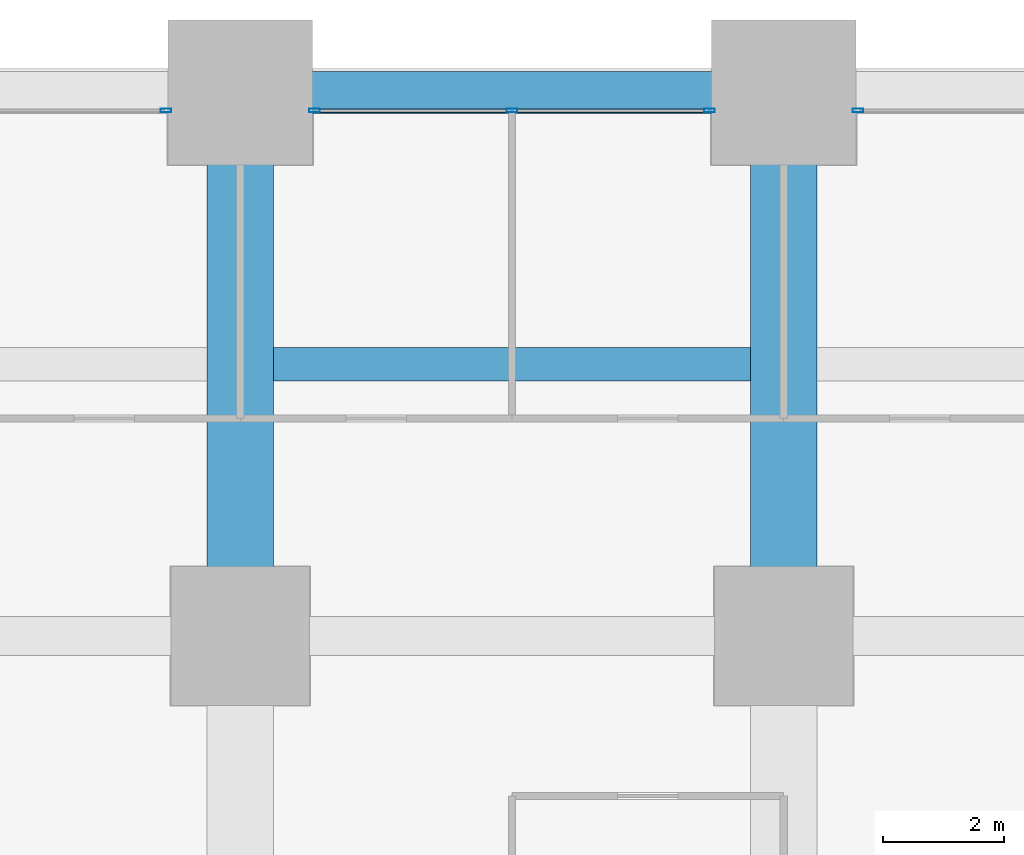
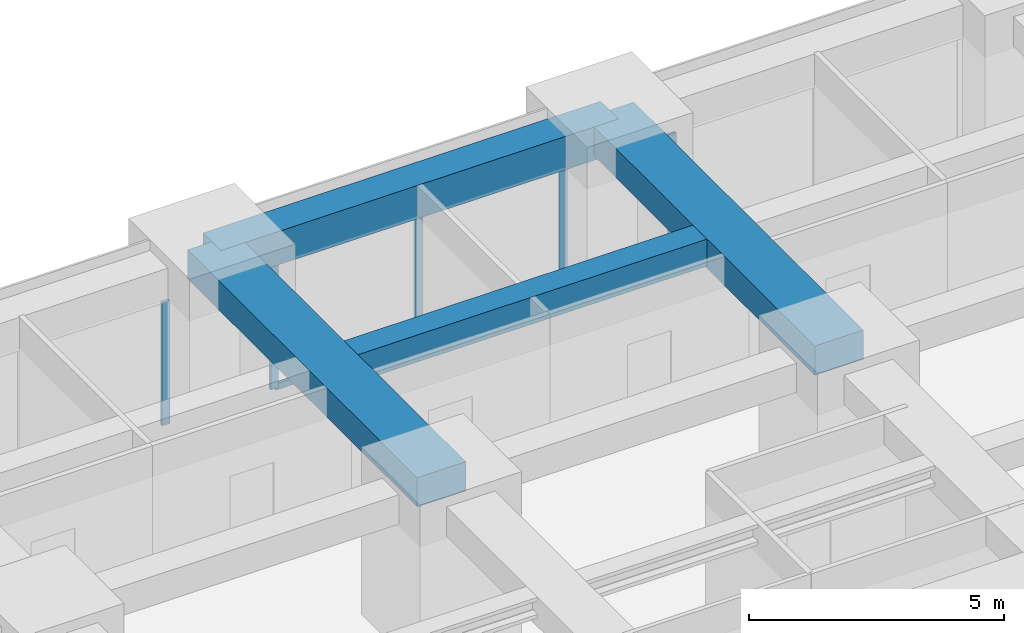
# One storey, part 35 of 44: 6 members, 4 beams, 3 elements without a shape of their own.
"""IFC4 building model written with IfcOpenShell, lengths in metres."""

from ifc_helpers import new_model, si_unit, direction, frame, origin, origin_2d, place, context, subcontext, project, spatial, rectangle, hollow_rectangle, extrude, material, material_profile, profile_set, type_object, element, aggregate, save


model = new_model("IFC4")

# Units and contexts
model_context = context("Model", 3, precision=1e-05, world=origin(), true_north=direction((0.0, 1.0)))
body_context = subcontext(model_context, "Body", "Model", "MODEL_VIEW")
ifc_project = project(units=[si_unit("LENGTHUNIT", "METRE"), si_unit("AREAUNIT", "SQUARE_METRE"), si_unit("VOLUMEUNIT", "CUBIC_METRE"), si_unit("PLANEANGLEUNIT", "RADIAN"), si_unit("MASSUNIT", "GRAM", prefix="KILO")], contexts=[model_context])

# Site, building, storey
site_placement = place(None, origin())
site = spatial("IfcSite", under=ifc_project, at=site_placement, CompositionType="ELEMENT")
building_placement = place(site_placement, origin())
building = spatial("IfcBuilding", under=site, at=building_placement, Name="Zorevar Civic Tower", CompositionType="ELEMENT")
storey_placement = place(building_placement, frame((0.0, 0.0, 35.800048828125)))
storey = spatial("IfcBuildingStorey", under=building, at=storey_placement, Name="L08", CompositionType="ELEMENT", Elevation=35.800048828125)

# Beams
ifc_material_1 = material(Name="Concrete C50/60", Category="concrete")
ifc_material_profile_1 = material_profile(ifc_material_1, rectangle(XDim=1.10009765625, YDim=0.699951171875, at=origin_2d()), Name="RC 1100x700")
ifc_profile_set_1 = profile_set([ifc_material_profile_1], Name="Concrete C50/60")
beam_type_1 = type_object("IfcBeamType", Name="Beam RC 1100x700", PredefinedType="BEAM", material=ifc_profile_set_1)
for number, where, z_axis, x_axis, name in (
    (1, (36.0, 45.0, 3.39990234375), (0.0, 1.0, 0.0), (-1.0, 0.0, 0.0), "Girder L09"),
    (2, (45.0, 45.0, 3.39990234375), (0.0, 1.0, 0.0), (-1.0, 0.0, 0.0), "Girder L09"),
):
    element("IfcBeam", number, at=place(storey_placement, frame(where, z_axis=z_axis, x_axis=x_axis)), inside=storey, type_object=beam_type_1, Name=name, PredefinedType="BEAM", context=body_context, shape_type="SweptSolid", body=[
        extrude(rectangle(XDim=1.10009765625, YDim=0.699951171875, at=origin_2d()), origin(), (0.0, 0.0, 1.0), 9.0),
    ])
ifc_material_2 = material(Name="Concrete C50/60", Category="concrete")
ifc_material_profile_2 = material_profile(ifc_material_2, rectangle(XDim=0.550048828125, YDim=0.64990234375, at=origin_2d()), Name="RC 550x650")
ifc_profile_set_2 = profile_set([ifc_material_profile_2], Name="Concrete C50/60")
beam_type_2 = type_object("IfcBeamType", Name="Beam RC 550x650", PredefinedType="BEAM", material=ifc_profile_set_2)
beam_1_placement = place(storey_placement, frame((36.550048828125, 49.5, 3.425048828125), z_axis=(1.0, 0.0, 0.0), x_axis=(0.0, 1.0, 0.0)))
element("IfcBeam", 3, at=beam_1_placement, inside=storey, type_object=beam_type_2, Name="Secondary beam L09", PredefinedType="BEAM", context=body_context, shape_type="SweptSolid", body=[
    extrude(rectangle(XDim=0.550048828125, YDim=0.64990234375, at=origin_2d()), origin(), (0.0, 0.0, 1.0), 7.89990234375),
])

# Curtain wall, member
ifc_material_3 = material(Name="Dark grey solar-control glass in black aluminium frame", Category="aluminium")
curtain_wall_type = type_object("IfcCurtainWallType", Name="Curtain wall CW2 low zone", PredefinedType="NOTDEFINED", material=ifc_material_3)
curtain_wall_1_placement = place(storey_placement, origin())
curtain_wall_1 = element("IfcCurtainWall", 4, at=curtain_wall_1_placement, inside=storey, type_object=curtain_wall_type, Name="CW2 L08", PredefinedType="NOTDEFINED")
ifc_material_4 = material(Name="Aluminium, black anodised", Category="aluminium")
ifc_material_profile_3 = material_profile(ifc_material_4, hollow_rectangle(XDim=0.06005859375, YDim=0.179931640625, WallThickness=0.00390625, at=origin_2d()), Name="AL 180x60x4")
ifc_profile_set_3 = profile_set([ifc_material_profile_3], Name="Aluminium, black anodised")
member_type_1 = type_object("IfcMemberType", Name="CW2 mullion AL 180x60x4", PredefinedType="MULLION", material=ifc_profile_set_3)
member_1_placement = place(storey_placement, frame((34.77001953125, 53.699951171875, 0.0), z_axis=(0.0, 0.0, 1.0), x_axis=(0.0, 1.0, 0.0)))
member_1 = element("IfcMember", 5, at=member_1_placement, type_object=member_type_1, Name="CW2 mullion 3", PredefinedType="MULLION", context=body_context, shape_type="SweptSolid", body=[
    extrude(hollow_rectangle(XDim=0.06005859375, YDim=0.179931640625, WallThickness=0.00390625, at=origin_2d()), origin(), (0.0, 0.0, 1.0), 2.949951171875),
])
aggregate(curtain_wall_1, [member_1])

# Curtain wall, members
curtain_wall_2_placement = place(storey_placement, origin())
curtain_wall_2 = element("IfcCurtainWall", 6, at=curtain_wall_2_placement, inside=storey, type_object=curtain_wall_type, Name="CW2 L08", PredefinedType="NOTDEFINED")
member_2_placement = place(storey_placement, frame((37.22998046875, 53.699951171875, 0.0), z_axis=(0.0, 0.0, 1.0), x_axis=(0.0, 1.0, 0.0)))
member_2 = element("IfcMember", 7, at=member_2_placement, type_object=member_type_1, Name="CW2 mullion 1", PredefinedType="MULLION", context=body_context, shape_type="SweptSolid", body=[
    extrude(hollow_rectangle(XDim=0.06005859375, YDim=0.179931640625, WallThickness=0.00390625, at=origin_2d()), origin(), (0.0, 0.0, 1.0), 2.949951171875),
])
member_3_placement = place(storey_placement, frame((40.5, 53.699951171875, 0.06005859375), z_axis=(0.0, 0.0, 1.0), x_axis=(0.0, 1.0, 0.0)))
member_3 = element("IfcMember", 8, at=member_3_placement, type_object=member_type_1, Name="CW2 mullion 2", PredefinedType="MULLION", context=body_context, shape_type="SweptSolid", body=[
    extrude(hollow_rectangle(XDim=0.06005859375, YDim=0.179931640625, WallThickness=0.00390625, at=origin_2d()), origin(), (0.0, 0.0, 1.0), 2.889892578125),
])
member_4_placement = place(storey_placement, frame((43.77001953125, 53.699951171875, 0.0), z_axis=(0.0, 0.0, 1.0), x_axis=(0.0, 1.0, 0.0)))
member_4 = element("IfcMember", 9, at=member_4_placement, type_object=member_type_1, Name="CW2 mullion 3", PredefinedType="MULLION", context=body_context, shape_type="SweptSolid", body=[
    extrude(hollow_rectangle(XDim=0.06005859375, YDim=0.179931640625, WallThickness=0.00390625, at=origin_2d()), origin(), (0.0, 0.0, 1.0), 2.949951171875),
])

# Curtain wall, member
curtain_wall_3_placement = place(storey_placement, origin())
curtain_wall_3 = element("IfcCurtainWall", 10, at=curtain_wall_3_placement, inside=storey, type_object=curtain_wall_type, Name="CW2 L08", PredefinedType="NOTDEFINED")
member_5_placement = place(storey_placement, frame((46.22998046875, 53.699951171875, 0.0), z_axis=(0.0, 0.0, 1.0), x_axis=(0.0, 1.0, 0.0)))
member_5 = element("IfcMember", 11, at=member_5_placement, type_object=member_type_1, Name="CW2 mullion 1", PredefinedType="MULLION", context=body_context, shape_type="SweptSolid", body=[
    extrude(hollow_rectangle(XDim=0.06005859375, YDim=0.179931640625, WallThickness=0.00390625, at=origin_2d()), origin(), (0.0, 0.0, 1.0), 2.949951171875),
])
aggregate(curtain_wall_3, [member_5])

# Member
ifc_material_5 = material(Name="Aluminium, black anodised", Category="aluminium")
ifc_material_profile_4 = material_profile(ifc_material_5, hollow_rectangle(XDim=0.06005859375, YDim=0.14990234375, WallThickness=0.00390625, at=origin_2d()), Name="AL 150x60x4")
ifc_profile_set_4 = profile_set([ifc_material_profile_4], Name="Aluminium, black anodised")
member_type_2 = type_object("IfcMemberType", Name="CW2 transom AL 150x60x4", PredefinedType="USERDEFINED", material=ifc_profile_set_4)
member_6_placement = place(storey_placement, frame((37.260009765625, 53.699951171875, 0.030029296875), z_axis=(1.0, 0.0, 0.0), x_axis=(0.0, 1.0, 0.0)))
member_6 = element("IfcMember", 12, at=member_6_placement, type_object=member_type_2, Name="CW2 sill transom", ObjectType="TRANSOM", PredefinedType="USERDEFINED", context=body_context, shape_type="SweptSolid", body=[
    extrude(hollow_rectangle(XDim=0.06005859375, YDim=0.14990234375, WallThickness=0.00390625, at=origin_2d()), origin(), (0.0, 0.0, 1.0), 6.47998046875),
])

aggregate(curtain_wall_2, [member_2, member_3, member_4, member_6])

# Beam
ifc_material_6 = material(Name="Concrete C50/60", Category="concrete")
ifc_material_profile_5 = material_profile(ifc_material_6, rectangle(XDim=0.699951171875, YDim=0.800048828125, at=origin_2d()), Name="RC 700x800")
ifc_profile_set_5 = profile_set([ifc_material_profile_5], Name="Concrete C50/60")
beam_type_3 = type_object("IfcBeamType", Name="Edge beam RC 700x800", PredefinedType="SPANDREL", material=ifc_profile_set_5)
beam_2_placement = place(storey_placement, frame((36.0, 54.0, 3.349853515625), z_axis=(1.0, 0.0, 0.0), x_axis=(0.0, 1.0, 0.0)))
element("IfcBeam", 13, at=beam_2_placement, inside=storey, type_object=beam_type_3, Name="Edge beam L09", PredefinedType="SPANDREL", context=body_context, shape_type="SweptSolid", body=[
    extrude(rectangle(XDim=0.699951171875, YDim=0.800048828125, at=origin_2d()), origin(), (0.0, 0.0, 1.0), 9.0),
])

save(model, "model.ifc")
